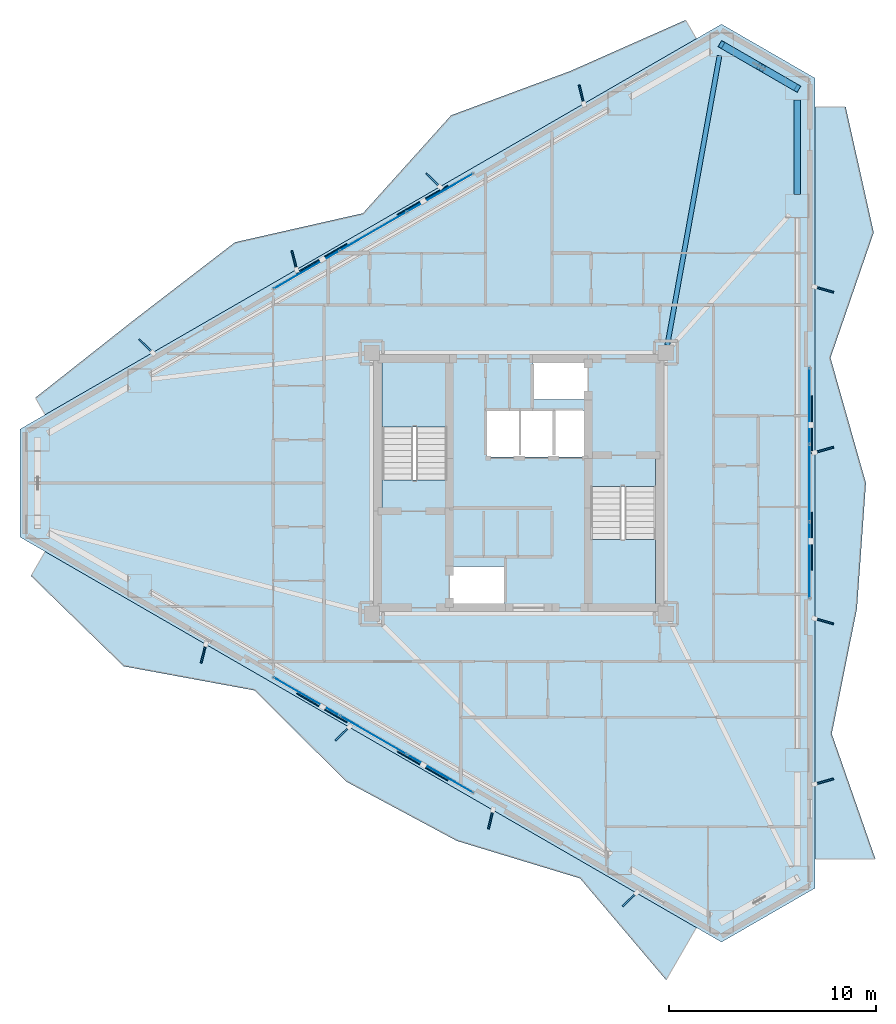
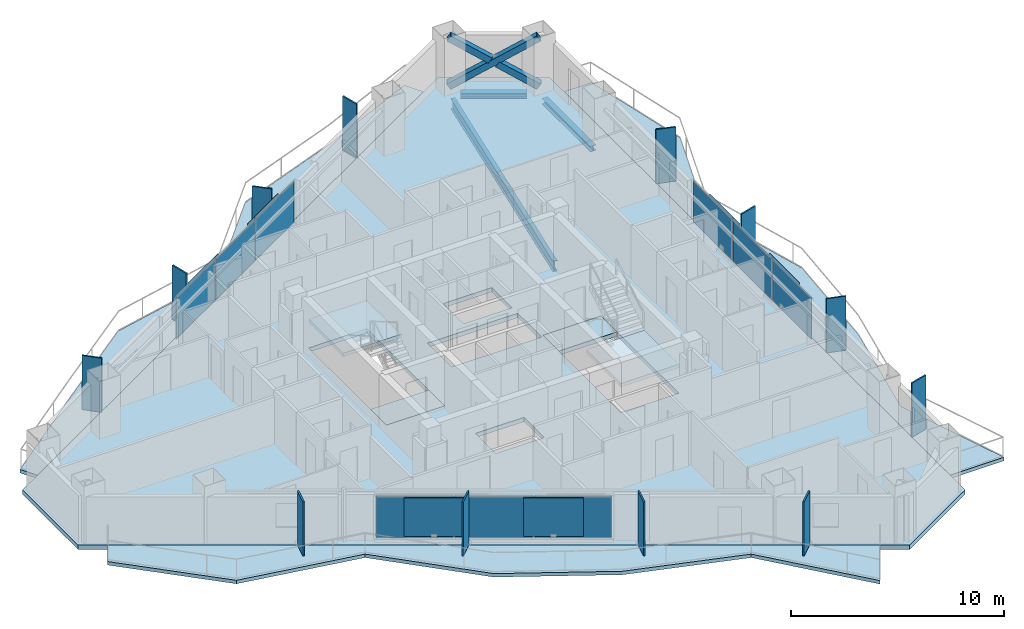
# One storey, part 14 of 23: 27 plates, 8 slabs, 3 beams, 3 members, 5 elements without a shape of their own.
"""IFC4 building model written with IfcOpenShell, lengths in metres."""

from ifc_helpers import new_model, si_unit, direction, frame, origin, origin_2d, place, context, subcontext, project, spatial, polyline, rectangle, hollow_rectangle, i_section, outline, extrude, material, layer, layer_set, material_profile, profile_set, type_object, element, aggregate, save


model = new_model("IFC4")

# Units and contexts
model_context = context("Model", 3, precision=1e-05, world=origin(), true_north=direction((0.0, 1.0)))
body_context = subcontext(model_context, "Body", "Model", "MODEL_VIEW")
ifc_project = project(units=[si_unit("LENGTHUNIT", "METRE"), si_unit("AREAUNIT", "SQUARE_METRE"), si_unit("VOLUMEUNIT", "CUBIC_METRE"), si_unit("PLANEANGLEUNIT", "RADIAN"), si_unit("MASSUNIT", "GRAM", prefix="KILO")], contexts=[model_context])

# Site, building, storey
site_placement = place(None, origin())
site = spatial("IfcSite", under=ifc_project, at=site_placement, CompositionType="ELEMENT")
building_placement = place(site_placement, origin())
building = spatial("IfcBuilding", under=site, at=building_placement, Name="Mersakhor Tower and Convention Hall", CompositionType="ELEMENT")
storey_placement = place(building_placement, frame((0.0, 0.0, 106.5)))
storey = spatial("IfcBuildingStorey", under=building, at=storey_placement, Name="L29", CompositionType="ELEMENT", Elevation=106.5)

# Beams
ifc_material_1 = material(Name="Steel S355", Category="steel")
ifc_material_profile_1 = material_profile(ifc_material_1, i_section(OverallWidth=0.22900390625, OverallDepth=0.6123046875, WebThickness=0.011962890625, FlangeThickness=0.01953125, at=origin_2d()), Name="UB 610x229x125")
ifc_profile_set_1 = profile_set([ifc_material_profile_1], Name="Steel S355")
beam_type_1 = type_object("IfcBeamType", Name="BM-PR-610", PredefinedType="BEAM", material=ifc_profile_set_1)
beam_1_placement = place(storey_placement, frame((36.1630859375, 33.3994140625, -0.55615234375), z_axis=(0.177407335198, 0.984137509405, 0.0), x_axis=(-0.984137509405, 0.177407335198, 0.0)))
element("IfcBeam", 1, at=beam_1_placement, inside=storey, type_object=beam_type_1, Name="L29 Primary Floor Girder FG-2", PredefinedType="BEAM", context=body_context, shape_type="SweptSolid", body=[
    extrude(i_section(OverallWidth=0.22900390625, OverallDepth=0.6123046875, WebThickness=0.011962890625, FlangeThickness=0.01953125, at=origin_2d()), origin(), (0.0, 0.0, 1.0), 14.188232421875),
])
ifc_material_2 = material(Name="Steel S355", Category="steel")
ifc_material_profile_2 = material_profile(ifc_material_2, i_section(OverallWidth=0.30908203125, OverallDepth=0.320556640625, WebThickness=0.013916015625, FlangeThickness=0.021728515625, at=origin_2d()), Name="UC 305x305x137")
ifc_profile_set_2 = profile_set([ifc_material_profile_2], Name="Steel S355")
beam_type_2 = type_object("IfcBeamType", Name="BM-SPD-UC305", PredefinedType="SPANDREL", material=ifc_profile_set_2)
beam_2_placement = place(storey_placement, frame((39.25927734375, 47.631103515625, -0.410400390625), z_axis=(0.866052319632, -0.499953377486, 0.0), x_axis=(0.499953377486, 0.866052319632, 0.0)))
element("IfcBeam", 2, at=beam_2_placement, inside=storey, type_object=beam_type_2, Name="L29 Perimeter Spandrel Beam SPB-04", PredefinedType="SPANDREL", context=body_context, shape_type="SweptSolid", body=[
    extrude(i_section(OverallWidth=0.30908203125, OverallDepth=0.320556640625, WebThickness=0.013916015625, FlangeThickness=0.021728515625, at=origin_2d()), origin(), (0.0, 0.0, 1.0), 3.111572265625),
])
beam_3_placement = place(storey_placement, frame((42.4345703125, 45.242919921875, -0.410400390625), z_axis=(0.0, -1.0, 0.0), x_axis=(1.0, 0.0, 0.0)))
element("IfcBeam", 3, at=beam_3_placement, inside=storey, type_object=beam_type_2, Name="L29 Perimeter Spandrel Beam SPB-05", PredefinedType="SPANDREL", context=body_context, shape_type="SweptSolid", body=[
    extrude(i_section(OverallWidth=0.30908203125, OverallDepth=0.320556640625, WebThickness=0.013916015625, FlangeThickness=0.021728515625, at=origin_2d()), origin(), (0.0, 0.0, 1.0), 4.566162109375),
])

# Members
ifc_material_3 = material(Name="Steel S460", Category="steel")
ifc_material_profile_3 = material_profile(ifc_material_3, hollow_rectangle(XDim=0.35009765625, YDim=0.35009765625, WallThickness=0.02001953125, at=origin_2d()), Name="SHS 350x350x20")
ifc_profile_set_3 = profile_set([ifc_material_profile_3], Name="Steel S460")
member_type = type_object("IfcMemberType", Name="MB-BRC-SHS350", PredefinedType="BRACE", material=ifc_profile_set_3)
member_1_placement = place(storey_placement, frame((38.77880859375, 47.90869140625, 0.14990234375), z_axis=(0.725633725484, -0.418933054415, 0.545848689986), x_axis=(0.49998946241, 0.866031487579, 0.0)))
element("IfcMember", 4, at=member_1_placement, inside=storey, type_object=member_type, Name="L29 Chamfer Braced Frame Diagonal CB-1A", PredefinedType="BRACE", context=body_context, shape_type="SweptSolid", body=[
    extrude(hollow_rectangle(XDim=0.35009765625, YDim=0.35009765625, WallThickness=0.02001953125, at=origin_2d()), origin(), (0.0, 0.0, 1.0), 5.0380859375),
])
member_2_placement = place(storey_placement, frame((42.4345703125, 45.798095703125, 0.14990234375), z_axis=(-0.725643177862, 0.418862922102, 0.545889943955), x_axis=(-0.499921796684, -0.866070549782, 0.0)))
element("IfcMember", 5, at=member_2_placement, inside=storey, type_object=member_type, Name="L29 Chamfer Braced Frame Diagonal CB-1B Lower Half", PredefinedType="BRACE", context=body_context, shape_type="SweptSolid", body=[
    extrude(hollow_rectangle(XDim=0.35009765625, YDim=0.35009765625, WallThickness=0.02001953125, at=origin_2d()), origin(), (0.0, 0.0, 1.0), 2.31982421875),
])
member_3_placement = place(storey_placement, frame((40.4619140625, 46.93701171875, 1.6337890625), z_axis=(-0.725635037856, 0.418918980369, 0.545857746783), x_axis=(-0.499976186015, -0.866039152359, 0.0)))
element("IfcMember", 6, at=member_3_placement, inside=storey, type_object=member_type, Name="L29 Chamfer Braced Frame Diagonal CB-1B Upper Half", PredefinedType="BRACE", context=body_context, shape_type="SweptSolid", body=[
    extrude(hollow_rectangle(XDim=0.35009765625, YDim=0.35009765625, WallThickness=0.02001953125, at=origin_2d()), origin(), (0.0, 0.0, 1.0), 2.319580078125),
])

# Curtain wall, plates
ifc_material_4 = material(Name="Dark solar low-E aluminium curtain wall", Category="aluminium")
ifc_layer_1 = layer(ifc_material_4, 0.159912109375)
ifc_layer_set_1 = layer_set([ifc_layer_1], Name="Dark solar low-E aluminium curtain wall")
curtain_wall_type = type_object("IfcCurtainWallType", Name="CW-SYS-01", PredefinedType="USERDEFINED", material=ifc_layer_set_1)
curtain_wall_1_placement = place(storey_placement, origin())
curtain_wall_1 = element("IfcCurtainWall", 7, at=curtain_wall_1_placement, inside=storey, type_object=curtain_wall_type, Name="L29 Dark-Glass Curtain Wall F1-B2", ObjectType="CURTAIN WALL", PredefinedType="USERDEFINED")
ifc_material_5 = material(Name="Dark solar double glazing", Category="glass")
ifc_layer_2 = layer(ifc_material_5, 0.02392578125)
ifc_layer_set_2 = layer_set([ifc_layer_2], Name="Dark solar double glazing")
plate_type_1 = type_object("IfcPlateType", Name="CWP-GLZ-24", PredefinedType="CURTAIN_PANEL", material=ifc_layer_set_2)
plate_1_placement = place(storey_placement, frame((18.75732421875, 37.042236328125, 0.260009765625), z_axis=(0.0, 0.0, 1.0), x_axis=(0.866026613339, 0.499997904985, 0.0)))
plate_1 = element("IfcPlate", 8, at=plate_1_placement, type_object=plate_type_1, Name="CW-01 panel 1.1", PredefinedType="CURTAIN_PANEL", context=body_context, shape_type="SweptSolid", body=[
    extrude(rectangle(XDim=3.630615234375, YDim=0.02392578125, at=origin_2d()), origin(), (0.0, 0.0, 1.0), 2.35009765625),
])
plate_2_placement = place(storey_placement, frame((21.982666015625, 38.904296875, 0.260009765625), z_axis=(0.0, 0.0, 1.0), x_axis=(0.866026613339, 0.499997904985, 0.0)))
plate_2 = element("IfcPlate", 9, at=plate_2_placement, type_object=plate_type_1, Name="CW-01 panel 2.1", PredefinedType="CURTAIN_PANEL", context=body_context, shape_type="SweptSolid", body=[
    extrude(rectangle(XDim=3.668212890625, YDim=0.02392578125, at=origin_2d()), origin(), (0.0, 0.0, 1.0), 2.35009765625),
])
plate_3_placement = place(storey_placement, frame((25.2080078125, 40.7666015625, 0.260009765625), z_axis=(0.0, 0.0, 1.0), x_axis=(0.866026613339, 0.499997904985, 0.0)))
plate_3 = element("IfcPlate", 10, at=plate_3_placement, type_object=plate_type_1, Name="CW-01 panel 3.1", PredefinedType="CURTAIN_PANEL", context=body_context, shape_type="SweptSolid", body=[
    extrude(rectangle(XDim=3.630615234375, YDim=0.02392578125, at=origin_2d()), origin(), (0.0, 0.0, 1.0), 2.35009765625),
])
aggregate(curtain_wall_1, [plate_1, plate_2, plate_3])

curtain_wall_2_placement = place(storey_placement, origin())
curtain_wall_2 = element("IfcCurtainWall", 11, at=curtain_wall_2_placement, inside=storey, type_object=curtain_wall_type, Name="L29 Dark-Glass Curtain Wall F2-B2", ObjectType="CURTAIN WALL", PredefinedType="USERDEFINED")
plate_4_placement = place(storey_placement, frame((43.03466796875, 30.474365234375, 0.260009765625), z_axis=(0.0, 0.0, 1.0), x_axis=(0.0, -1.0, 0.0)))
plate_4 = element("IfcPlate", 12, at=plate_4_placement, type_object=plate_type_1, Name="CW-01 panel 1.1", PredefinedType="CURTAIN_PANEL", context=body_context, shape_type="SweptSolid", body=[
    extrude(rectangle(XDim=3.630615234375, YDim=0.02392578125, at=origin_2d()), origin(), (0.0, 0.0, 1.0), 2.35009765625),
])
plate_5_placement = place(storey_placement, frame((43.03466796875, 26.75, 0.260009765625), z_axis=(0.0, 0.0, 1.0), x_axis=(0.0, -1.0, 0.0)))
plate_5 = element("IfcPlate", 13, at=plate_5_placement, type_object=plate_type_1, Name="CW-01 panel 2.1", PredefinedType="CURTAIN_PANEL", context=body_context, shape_type="SweptSolid", body=[
    extrude(rectangle(XDim=3.668212890625, YDim=0.02392578125, at=origin_2d()), origin(), (0.0, 0.0, 1.0), 2.35009765625),
])
plate_6_placement = place(storey_placement, frame((43.03466796875, 23.025634765625, 0.260009765625), z_axis=(0.0, 0.0, 1.0), x_axis=(0.0, -1.0, 0.0)))
plate_6 = element("IfcPlate", 14, at=plate_6_placement, type_object=plate_type_1, Name="CW-01 panel 3.1", PredefinedType="CURTAIN_PANEL", context=body_context, shape_type="SweptSolid", body=[
    extrude(rectangle(XDim=3.630615234375, YDim=0.02392578125, at=origin_2d()), origin(), (0.0, 0.0, 1.0), 2.35009765625),
])
aggregate(curtain_wall_2, [plate_4, plate_5, plate_6])

curtain_wall_3_placement = place(storey_placement, origin())
curtain_wall_3 = element("IfcCurtainWall", 15, at=curtain_wall_3_placement, inside=storey, type_object=curtain_wall_type, Name="L29 Dark-Glass Curtain Wall F3-B2", ObjectType="CURTAIN WALL", PredefinedType="USERDEFINED")
plate_7_placement = place(storey_placement, frame((25.2080078125, 12.7333984375, 0.260009765625), z_axis=(0.0, 0.0, 1.0), x_axis=(-0.866026613339, 0.499997904985, 0.0)))
plate_7 = element("IfcPlate", 16, at=plate_7_placement, type_object=plate_type_1, Name="CW-01 panel 1.1", PredefinedType="CURTAIN_PANEL", context=body_context, shape_type="SweptSolid", body=[
    extrude(rectangle(XDim=3.630615234375, YDim=0.02392578125, at=origin_2d()), origin(), (0.0, 0.0, 1.0), 2.35009765625),
])
plate_8_placement = place(storey_placement, frame((21.982666015625, 14.595703125, 0.260009765625), z_axis=(0.0, 0.0, 1.0), x_axis=(-0.866026613339, 0.499997904985, 0.0)))
plate_8 = element("IfcPlate", 17, at=plate_8_placement, type_object=plate_type_1, Name="CW-01 panel 2.1", PredefinedType="CURTAIN_PANEL", context=body_context, shape_type="SweptSolid", body=[
    extrude(rectangle(XDim=3.668212890625, YDim=0.02392578125, at=origin_2d()), origin(), (0.0, 0.0, 1.0), 2.35009765625),
])
plate_9_placement = place(storey_placement, frame((18.75732421875, 16.457763671875, 0.260009765625), z_axis=(0.0, 0.0, 1.0), x_axis=(-0.866026613339, 0.499997904985, 0.0)))
plate_9 = element("IfcPlate", 18, at=plate_9_placement, type_object=plate_type_1, Name="CW-01 panel 3.1", PredefinedType="CURTAIN_PANEL", context=body_context, shape_type="SweptSolid", body=[
    extrude(rectangle(XDim=3.630615234375, YDim=0.02392578125, at=origin_2d()), origin(), (0.0, 0.0, 1.0), 2.35009765625),
])
aggregate(curtain_wall_3, [plate_7, plate_8, plate_9])

# Plates
ifc_material_6 = material(Name="Ceramic-clad aluminium Zone 2 emerald-teal", Category="aluminium")
ifc_material_7 = material(Name="Ceramic-clad aluminium Zone 1 cobalt-slate", Category="masonry")
ifc_layer_3 = layer(ifc_material_7, 0.080078125)
ifc_layer_set_3 = layer_set([ifc_layer_3], Name="Ceramic-clad aluminium Zone 1 cobalt-slate")
plate_type_2 = type_object("IfcPlateType", Name="PL-FIN-80", PredefinedType="USERDEFINED", material=ifc_layer_set_3)
for number, where, z_axis, x_axis, name in (
    (19, (11.013671875, 33.364013671875, 0.0), (0.0, 0.0, 1.0), (-0.719339800339, 0.694658370459, 0.0), "L29 Zone 2 Coloured Brise-Soleil Fin F1-1"),
    (20, (18.168701171875, 37.4951171875, 0.0), (0.0, 0.0, 1.0), (-0.2419218956, 0.970295726276, 0.0), "L29 Zone 2 Coloured Brise-Soleil Fin F1-2"),
    (21, (24.8701171875, 41.364013671875, 0.0), (0.0, 0.0, 1.0), (-0.719339800339, 0.694658370459, 0.0), "L29 Zone 2 Coloured Brise-Soleil Fin F1-3"),
    (22, (32.02490234375, 45.4951171875, 0.0), (0.0, 0.0, 1.0), (-0.2419218956, 0.970295726276, 0.0), "L29 Zone 2 Coloured Brise-Soleil Fin F1-4"),
    (23, (43.72119140625, 36.091064453125, 0.0), (0.0, 0.0, 1.0), (0.961261695938, -0.275637355817, 0.0), "L29 Zone 2 Coloured Brise-Soleil Fin F2-1"),
    (24, (43.72119140625, 28.35302734375, 0.0), (0.0, 0.0, 1.0), (0.961261695938, 0.275637355817, 0.0), "L29 Zone 2 Coloured Brise-Soleil Fin F2-2"),
    (25, (43.72119140625, 20.091064453125, 0.0), (0.0, 0.0, 1.0), (0.961261695938, -0.275637355817, 0.0), "L29 Zone 2 Coloured Brise-Soleil Fin F2-3"),
    (26, (43.72119140625, 12.35302734375, 0.0), (0.0, 0.0, 1.0), (0.961261695938, 0.275637355817, 0.0), "L29 Zone 2 Coloured Brise-Soleil Fin F2-4"),
    (27, (34.347900390625, 6.663818359375, 0.0), (0.0, 0.0, 1.0), (-0.719339800339, -0.694658370459, 0.0), "L29 Zone 2 Coloured Brise-Soleil Fin F3-1"),
    (28, (27.646484375, 10.532958984375, 0.0), (0.0, 0.0, 1.0), (-0.2419218956, -0.970295726276, 0.0), "L29 Zone 2 Coloured Brise-Soleil Fin F3-2"),
    (29, (20.491455078125, 14.663818359375, 0.0), (0.0, 0.0, 1.0), (-0.719339800339, -0.694658370459, 0.0), "L29 Zone 2 Coloured Brise-Soleil Fin F3-3"),
    (30, (13.7900390625, 18.532958984375, 0.0), (0.0, 0.0, 1.0), (-0.2419218956, -0.970295726276, 0.0), "L29 Zone 2 Coloured Brise-Soleil Fin F3-4"),
):
    element("IfcPlate", number, at=place(storey_placement, frame(where, z_axis=z_axis, x_axis=x_axis)), inside=storey, type_object=plate_type_2, material=ifc_material_6, Name=name, ObjectType="FIN", PredefinedType="USERDEFINED", context=body_context, shape_type="SweptSolid", body=[
        extrude(rectangle(XDim=0.949951171875, YDim=0.080078125, at=origin_2d()), origin(), (0.0, 0.0, 1.0), 3.10009765625),
    ])
ifc_material_8 = material(Name="Perforated ceramic cobogo solar screen", Category="aluminium")
ifc_layer_4 = layer(ifc_material_8, 0.055908203125)
ifc_layer_set_4 = layer_set([ifc_layer_4], Name="Perforated ceramic cobogo solar screen")
plate_type_3 = type_object("IfcPlateType", Name="PL-SCR-56", PredefinedType="USERDEFINED", material=ifc_layer_set_4)
for number, where, z_axis, x_axis, name in (
    (31, (19.50244140625, 37.58544921875, 0.39990234375), (0.0, 0.0, 1.0), (0.866025403784, 0.5, 0.0), "L29 Perforated Ceramic Solar Screen F1-1"),
    (32, (24.364990234375, 40.392822265625, 0.39990234375), (0.0, 0.0, 1.0), (0.866025403784, 0.5, 0.0), "L29 Perforated Ceramic Solar Screen F1-2"),
    (33, (43.132568359375, 29.557373046875, 0.39990234375), (0.0, 0.0, 1.0), (0.0, -1.0, 0.0), "L29 Perforated Ceramic Solar Screen F2-1"),
    (34, (43.132568359375, 23.942626953125, 0.39990234375), (0.0, 0.0, 1.0), (0.0, -1.0, 0.0), "L29 Perforated Ceramic Solar Screen F2-2"),
    (35, (24.364990234375, 13.107177734375, 0.39990234375), (0.0, 0.0, 1.0), (-0.866025403784, 0.5, 0.0), "L29 Perforated Ceramic Solar Screen F3-1"),
    (36, (19.50244140625, 15.91455078125, 0.39990234375), (0.0, 0.0, 1.0), (-0.866025403784, 0.5, 0.0), "L29 Perforated Ceramic Solar Screen F3-2"),
):
    element("IfcPlate", number, at=place(storey_placement, frame(where, z_axis=z_axis, x_axis=x_axis)), inside=storey, type_object=plate_type_3, Name=name, ObjectType="SCREEN", PredefinedType="USERDEFINED", context=body_context, shape_type="SweptSolid", body=[
        extrude(rectangle(XDim=2.800048828125, YDim=0.055908203125, at=origin_2d()), origin(), (0.0, 0.0, 1.0), 2.219970703125),
    ])

# Slabs
ifc_material_9 = material(Name="Concrete C45/55", Category="concrete")
ifc_layer_5 = layer(ifc_material_9, 0.199951171875)
ifc_layer_set_5 = layer_set([ifc_layer_5], Name="Concrete C45/55")
slab_type_1 = type_object("IfcSlabType", Name="SL-BAL-200", PredefinedType="FLOOR", material=ifc_layer_set_5)
slab_1_placement = place(storey_placement, frame((0.0, 0.0, -0.199951171875)))
element("IfcSlab", 37, at=slab_1_placement, inside=storey, type_object=slab_type_1, Name="L29 Sinusoidal Balcony Slab Face 1", PredefinedType="FLOOR", context=body_context, shape_type="SweptSolid", body=[
    extrude(outline(polyline([(6.149169921875, 30.051513671875), (37.56640625, 48.190185546875), (37.044921875, 49.093017578125), (31.48486328125, 46.630859375), (25.736083984375, 44.49560546875), (21.482666015625, 39.7705078125), (15.3095703125, 38.3701171875), (10.474365234375, 34.652587890625), (5.677001953125, 30.869384765625), (6.149169921875, 30.051513671875)])), origin(), (0.0, 0.0, 1.0), 0.199951171875),
])
slab_2_placement = place(storey_placement, frame((0.0, 0.0, -0.199951171875)))
element("IfcSlab", 38, at=slab_2_placement, inside=storey, type_object=slab_type_1, Name="L29 Sinusoidal Balcony Slab Face 2", PredefinedType="FLOOR", context=body_context, shape_type="SweptSolid", body=[
    extrude(outline(polyline([(43.28466796875, 44.888671875), (43.28466796875, 8.611328125), (46.20458984375, 8.611328125), (44.095947265625, 14.657470703125), (45.31201171875, 20.703857421875), (45.745849609375, 26.75), (44.03466796875, 32.796142578125), (46.121337890625, 38.842529296875), (44.771484375, 44.888671875), (43.28466796875, 44.888671875)])), origin(), (0.0, 0.0, 1.0), 0.199951171875),
])
slab_3_placement = place(storey_placement, frame((0.0, 0.0, -0.199951171875)))
element("IfcSlab", 39, at=slab_3_placement, inside=storey, type_object=slab_type_1, Name="L29 Sinusoidal Balcony Slab Face 3", PredefinedType="FLOOR", context=body_context, shape_type="SweptSolid", body=[
    extrude(outline(polyline([(37.56640625, 5.309814453125), (6.149169921875, 23.448486328125), (5.46826171875, 22.269287109375), (9.93603515625, 17.915283203125), (16.24658203125, 16.752685546875), (20.68408203125, 12.346435546875), (26.01611328125, 9.489501953125), (31.955078125, 7.683349609375), (36.106201171875, 2.781005859375), (37.56640625, 5.309814453125)])), origin(), (0.0, 0.0, 1.0), 0.199951171875),
])
ifc_material_10 = material(Name="Concrete C40/50", Category="concrete")
ifc_layer_6 = layer(ifc_material_10, 0.25)
ifc_layer_set_6 = layer_set([ifc_layer_6], Name="Concrete C40/50")
slab_type_2 = type_object("IfcSlabType", Name="SL-FLR-250", PredefinedType="FLOOR", material=ifc_layer_set_6)
slab_4_placement = place(storey_placement, frame((0.0, 0.0, -0.25)))
element("IfcSlab", 40, at=slab_4_placement, inside=storey, type_object=slab_type_2, Name="L29 ST-1 Structural Stair Floor Landing", PredefinedType="LANDING", context=body_context, shape_type="SweptSolid", body=[
    extrude(outline(polyline([(25.550048828125, 25.39990234375), (25.550048828125, 26.89990234375), (22.39990234375, 26.89990234375), (22.39990234375, 25.39990234375), (25.550048828125, 25.39990234375)])), origin(), (0.0, 0.0, 1.0), 0.25),
])
slab_5_placement = place(storey_placement, frame((0.0, 0.0, -0.25)))
element("IfcSlab", 41, at=slab_5_placement, inside=storey, type_object=slab_type_2, Name="L29 ST-2 Structural Stair Floor Landing", PredefinedType="LANDING", context=body_context, shape_type="SweptSolid", body=[
    extrude(outline(polyline([(32.449951171875, 28.10009765625), (32.449951171875, 26.60009765625), (35.60009765625, 26.60009765625), (35.60009765625, 28.10009765625), (32.449951171875, 28.10009765625)])), origin(), (0.0, 0.0, 1.0), 0.25),
])
slab_6_placement = place(storey_placement, frame((0.0, 0.0, -0.25)))
element("IfcSlab", 42, at=slab_6_placement, inside=storey, type_object=slab_type_2, Name="Tower L29 Structural Floor Slab", PredefinedType="FLOOR", context=body_context, shape_type="SweptSolid", body=[
    extrude(outline(polyline([(4.936767578125, 29.3515625), (38.77880859375, 48.89013671875), (43.28466796875, 46.288818359375), (43.28466796875, 7.211181640625), (38.77880859375, 4.60986328125), (4.936767578125, 24.1484375), (4.936767578125, 29.3515625)]), holes=[polyline([(25.550048828125, 25.39990234375), (25.550048828125, 32.699951171875), (22.39990234375, 32.699951171875), (22.39990234375, 25.39990234375), (25.550048828125, 25.39990234375)]), polyline([(32.449951171875, 28.10009765625), (32.449951171875, 20.800048828125), (35.60009765625, 20.800048828125), (35.60009765625, 28.10009765625), (32.449951171875, 28.10009765625)]), polyline([(25.679931640625, 20.820068359375), (25.679931640625, 22.719970703125), (28.320068359375, 22.719970703125), (28.320068359375, 20.820068359375), (25.679931640625, 20.820068359375)]), polyline([(29.679931640625, 30.780029296875), (29.679931640625, 32.679931640625), (32.320068359375, 32.679931640625), (32.320068359375, 30.780029296875), (29.679931640625, 30.780029296875)]), polyline([(27.429931640625, 28.0), (27.429931640625, 30.25), (32.320068359375, 30.25), (32.320068359375, 28.0), (27.429931640625, 28.0)])]), origin(), (0.0, 0.0, 1.0), 0.25),
])

# Stair, slab
ifc_material_11 = material(Name="Concrete C45/55", Category="concrete")
stair_type = type_object("IfcStairType", Name="ST-TWR-20R", PredefinedType="HALF_TURN_STAIR", material=ifc_material_11)
stair_1_placement = place(storey_placement, origin())
stair_1 = element("IfcStair", 43, at=stair_1_placement, inside=storey, type_object=stair_type, Name="L29 Tower Protected Exit Stair ST-1", PredefinedType="HALF_TURN_STAIR")
ifc_material_12 = material(Name="Concrete C45/55", Category="concrete")
ifc_layer_7 = layer(ifc_material_12, 0.199951171875)
ifc_layer_set_7 = layer_set([ifc_layer_7], Name="Concrete C45/55")
slab_type_3 = type_object("IfcSlabType", Name="SL-LAND-200", PredefinedType="LANDING", material=ifc_layer_set_7)
slab_7_placement = place(storey_placement, frame((0.0, 0.0, 1.449951171875)))
slab_7 = element("IfcSlab", 44, at=slab_7_placement, type_object=slab_type_3, Name="ST-1 landing 1", PredefinedType="LANDING", context=body_context, shape_type="SweptSolid", body=[
    extrude(outline(polyline([(25.550048828125, 29.465087890625), (25.550048828125, 32.699951171875), (22.39990234375, 32.699951171875), (22.39990234375, 29.465087890625), (25.550048828125, 29.465087890625)])), origin(), (0.0, 0.0, 1.0), 0.199951171875),
])
aggregate(stair_1, [slab_7])

stair_2_placement = place(storey_placement, origin())
stair_2 = element("IfcStair", 45, at=stair_2_placement, inside=storey, type_object=stair_type, Name="L29 Tower Protected Exit Stair ST-2", PredefinedType="HALF_TURN_STAIR")
slab_8_placement = place(storey_placement, frame((0.0, 0.0, 1.449951171875)))
slab_8 = element("IfcSlab", 46, at=slab_8_placement, type_object=slab_type_3, Name="ST-2 landing 1", PredefinedType="LANDING", context=body_context, shape_type="SweptSolid", body=[
    extrude(outline(polyline([(32.449951171875, 24.034912109375), (32.449951171875, 20.800048828125), (35.60009765625, 20.800048828125), (35.60009765625, 24.034912109375), (32.449951171875, 24.034912109375)])), origin(), (0.0, 0.0, 1.0), 0.199951171875),
])
aggregate(stair_2, [slab_8])

save(model, "model.ifc")
